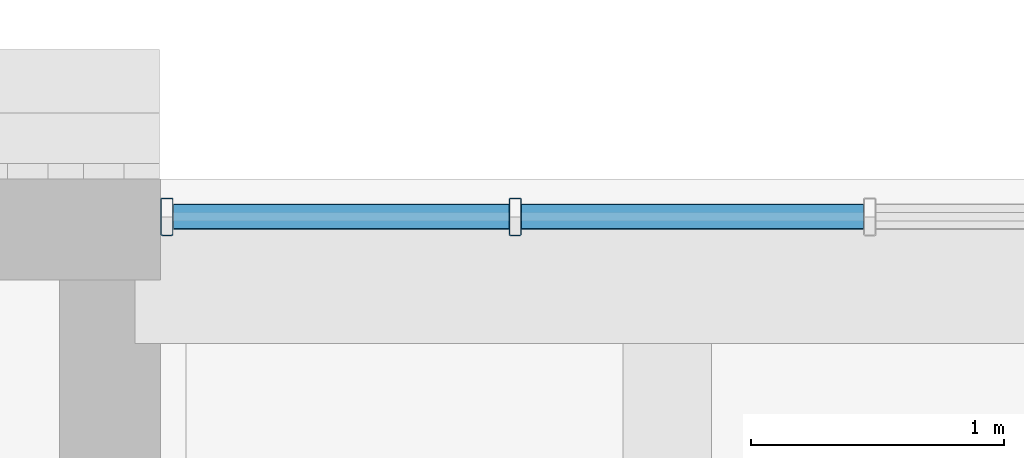
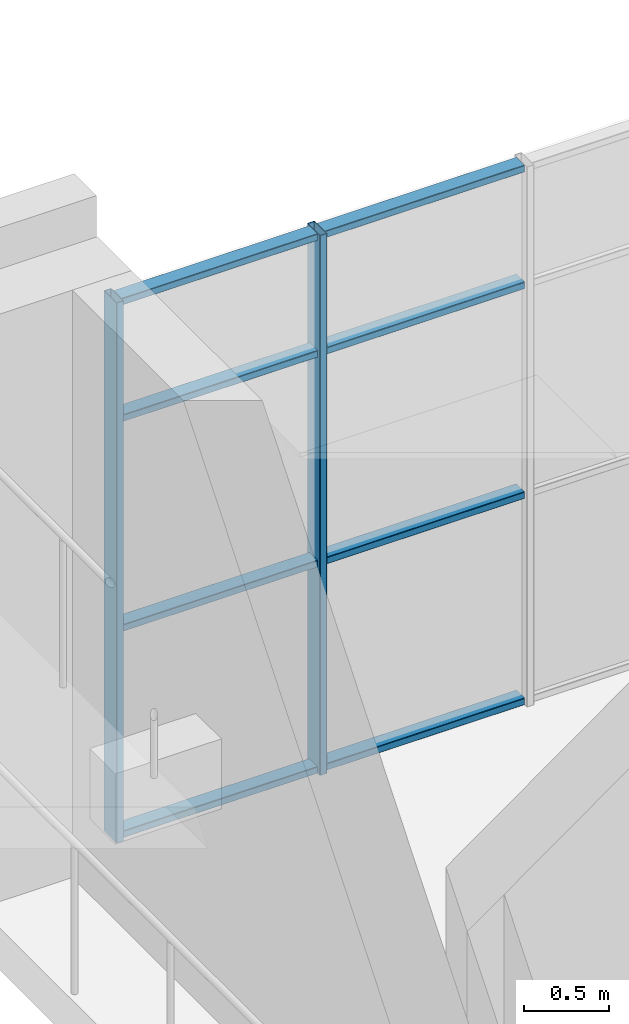
# One storey, part 3 of 92: 10 members, 1 element without a shape of its own.
"""IFC4 building model written with IfcOpenShell, lengths in metres."""

from ifc_helpers import new_model, si_unit, direction, frame, origin, origin_2d, place, context, subcontext, project, spatial, hollow_rectangle, extrude, material, material_profile, profile_set, type_object, element, aggregate, save


model = new_model("IFC4")

# Units and contexts
model_context = context("Model", 3, precision=1e-05, world=origin(), true_north=direction((0.0, 1.0)))
body_context = subcontext(model_context, "Body", "Model", "MODEL_VIEW")
ifc_project = project(units=[si_unit("LENGTHUNIT", "METRE"), si_unit("AREAUNIT", "SQUARE_METRE"), si_unit("VOLUMEUNIT", "CUBIC_METRE"), si_unit("PLANEANGLEUNIT", "RADIAN"), si_unit("MASSUNIT", "GRAM", prefix="KILO")], contexts=[model_context])

# Site, building, storey
site_placement = place(None, origin())
site = spatial("IfcSite", under=ifc_project, at=site_placement, CompositionType="ELEMENT")
building_placement = place(site_placement, origin())
building = spatial("IfcBuilding", under=site, at=building_placement, Name="Sun Court Science Centre", CompositionType="ELEMENT")
storey_placement = place(building_placement, frame((0.0, 0.0, 11.25)))
storey = spatial("IfcBuildingStorey", under=building, at=storey_placement, Name="L02", CompositionType="ELEMENT", Elevation=11.25)

# Curtain wall, members
ifc_material_1 = material(Name="Aluminium EN AW-6063 T6", Category="aluminium")
curtain_wall_type = type_object("IfcCurtainWallType", Name="Court gallery curtain wall 1500", PredefinedType="NOTDEFINED", material=ifc_material_1)
curtain_wall_placement = place(storey_placement, origin())
curtain_wall = element("IfcCurtainWall", 1, at=curtain_wall_placement, inside=storey, type_object=curtain_wall_type, Name="Curtain wall V2 N L02 01", PredefinedType="NOTDEFINED")
ifc_material_2 = material(Name="Aluminium EN AW-6063 T6", Category="aluminium")
ifc_material_profile_1 = material_profile(ifc_material_2, hollow_rectangle(XDim=0.050048828125, YDim=0.14990234375, WallThickness=0.00390625, InnerFilletRadius=0.00390625, OuterFilletRadius=0.006103515625, at=origin_2d()), Name="AL 50x150x4")
ifc_profile_set_1 = profile_set([ifc_material_profile_1], Name="Aluminium EN AW-6063 T6")
member_type_1 = type_object("IfcMemberType", Name="Curtain wall mullion AL 50x150", PredefinedType="MULLION", material=ifc_profile_set_1)
member_1_placement = place(storey_placement, frame((30.02490234375, 27.85009765625, 0.0), z_axis=(0.0, 0.0, 1.0), x_axis=(1.0, 0.0, 0.0)))
member_1 = element("IfcMember", 2, at=member_1_placement, type_object=member_type_1, Name="CW5-05 mullion 1", PredefinedType="MULLION", context=body_context, shape_type="SweptSolid", body=[
    extrude(hollow_rectangle(XDim=0.050048828125, YDim=0.14990234375, WallThickness=0.00390625, InnerFilletRadius=0.00390625, OuterFilletRadius=0.006103515625, at=origin_2d()), origin(), (0.0, 0.0, 1.0), 3.860107421875),
])
member_2_placement = place(storey_placement, frame((31.39990234375, 27.85009765625, 0.0), z_axis=(0.0, 0.0, 1.0), x_axis=(1.0, 0.0, 0.0)))
member_2 = element("IfcMember", 3, at=member_2_placement, type_object=member_type_1, Name="CW5-05 mullion 2", PredefinedType="MULLION", context=body_context, shape_type="SweptSolid", body=[
    extrude(hollow_rectangle(XDim=0.050048828125, YDim=0.14990234375, WallThickness=0.00390625, InnerFilletRadius=0.00390625, OuterFilletRadius=0.006103515625, at=origin_2d()), origin(), (0.0, 0.0, 1.0), 3.860107421875),
])
ifc_material_3 = material(Name="Aluminium EN AW-6063 T6", Category="aluminium")
ifc_material_profile_2 = material_profile(ifc_material_3, hollow_rectangle(XDim=0.050048828125, YDim=0.10009765625, WallThickness=0.00390625, InnerFilletRadius=0.00390625, OuterFilletRadius=0.006103515625, at=origin_2d()), Name="AL 50x100x4")
ifc_profile_set_2 = profile_set([ifc_material_profile_2], Name="Aluminium EN AW-6063 T6")
member_type_2 = type_object("IfcMemberType", Name="Curtain wall transom AL 50x100", PredefinedType="USERDEFINED", material=ifc_profile_set_2)
member_3_placement = place(storey_placement, frame((30.050048828125, 27.85009765625, 0.02490234375), z_axis=(1.0, 0.0, 0.0), x_axis=(0.0, 0.0, 1.0)))
member_3 = element("IfcMember", 4, at=member_3_placement, type_object=member_type_2, Name="CW5-05 transom 1.1", ObjectType="TRANSOM", PredefinedType="USERDEFINED", context=body_context, shape_type="SweptSolid", body=[
    extrude(hollow_rectangle(XDim=0.050048828125, YDim=0.10009765625, WallThickness=0.00390625, InnerFilletRadius=0.00390625, OuterFilletRadius=0.006103515625, at=origin_2d()), origin(), (0.0, 0.0, 1.0), 1.324951171875),
])
member_4_placement = place(storey_placement, frame((31.425048828125, 27.85009765625, 0.02490234375), z_axis=(1.0, 0.0, 0.0), x_axis=(0.0, 0.0, 1.0)))
member_4 = element("IfcMember", 5, at=member_4_placement, type_object=member_type_2, Name="CW5-05 transom 2.1", ObjectType="TRANSOM", PredefinedType="USERDEFINED", context=body_context, shape_type="SweptSolid", body=[
    extrude(hollow_rectangle(XDim=0.050048828125, YDim=0.10009765625, WallThickness=0.00390625, InnerFilletRadius=0.00390625, OuterFilletRadius=0.006103515625, at=origin_2d()), origin(), (0.0, 0.0, 1.0), 1.349853515625),
])
member_5_placement = place(storey_placement, frame((30.050048828125, 27.85009765625, 1.5), z_axis=(1.0, 0.0, 0.0), x_axis=(0.0, 0.0, 1.0)))
member_5 = element("IfcMember", 6, at=member_5_placement, type_object=member_type_2, Name="CW5-05 transom 1.2", ObjectType="TRANSOM", PredefinedType="USERDEFINED", context=body_context, shape_type="SweptSolid", body=[
    extrude(hollow_rectangle(XDim=0.050048828125, YDim=0.10009765625, WallThickness=0.00390625, InnerFilletRadius=0.00390625, OuterFilletRadius=0.006103515625, at=origin_2d()), origin(), (0.0, 0.0, 1.0), 1.324951171875),
])
member_6_placement = place(storey_placement, frame((31.425048828125, 27.85009765625, 1.5), z_axis=(1.0, 0.0, 0.0), x_axis=(0.0, 0.0, 1.0)))
member_6 = element("IfcMember", 7, at=member_6_placement, type_object=member_type_2, Name="CW5-05 transom 2.2", ObjectType="TRANSOM", PredefinedType="USERDEFINED", context=body_context, shape_type="SweptSolid", body=[
    extrude(hollow_rectangle(XDim=0.050048828125, YDim=0.10009765625, WallThickness=0.00390625, InnerFilletRadius=0.00390625, OuterFilletRadius=0.006103515625, at=origin_2d()), origin(), (0.0, 0.0, 1.0), 1.349853515625),
])
member_7_placement = place(storey_placement, frame((30.050048828125, 27.85009765625, 3.0), z_axis=(1.0, 0.0, 0.0), x_axis=(0.0, 0.0, 1.0)))
member_7 = element("IfcMember", 8, at=member_7_placement, type_object=member_type_2, Name="CW5-05 transom 1.3", ObjectType="TRANSOM", PredefinedType="USERDEFINED", context=body_context, shape_type="SweptSolid", body=[
    extrude(hollow_rectangle(XDim=0.050048828125, YDim=0.10009765625, WallThickness=0.00390625, InnerFilletRadius=0.00390625, OuterFilletRadius=0.006103515625, at=origin_2d()), origin(), (0.0, 0.0, 1.0), 1.324951171875),
])
member_8_placement = place(storey_placement, frame((31.425048828125, 27.85009765625, 3.0), z_axis=(1.0, 0.0, 0.0), x_axis=(0.0, 0.0, 1.0)))
member_8 = element("IfcMember", 9, at=member_8_placement, type_object=member_type_2, Name="CW5-05 transom 2.3", ObjectType="TRANSOM", PredefinedType="USERDEFINED", context=body_context, shape_type="SweptSolid", body=[
    extrude(hollow_rectangle(XDim=0.050048828125, YDim=0.10009765625, WallThickness=0.00390625, InnerFilletRadius=0.00390625, OuterFilletRadius=0.006103515625, at=origin_2d()), origin(), (0.0, 0.0, 1.0), 1.349853515625),
])
member_9_placement = place(storey_placement, frame((30.050048828125, 27.85009765625, 3.8349609375), z_axis=(1.0, 0.0, 0.0), x_axis=(0.0, 0.0, 1.0)))
member_9 = element("IfcMember", 10, at=member_9_placement, type_object=member_type_2, Name="CW5-05 transom 1.4", ObjectType="TRANSOM", PredefinedType="USERDEFINED", context=body_context, shape_type="SweptSolid", body=[
    extrude(hollow_rectangle(XDim=0.050048828125, YDim=0.10009765625, WallThickness=0.00390625, InnerFilletRadius=0.00390625, OuterFilletRadius=0.006103515625, at=origin_2d()), origin(), (0.0, 0.0, 1.0), 1.324951171875),
])
member_10_placement = place(storey_placement, frame((31.425048828125, 27.85009765625, 3.8349609375), z_axis=(1.0, 0.0, 0.0), x_axis=(0.0, 0.0, 1.0)))
member_10 = element("IfcMember", 11, at=member_10_placement, type_object=member_type_2, Name="CW5-05 transom 2.4", ObjectType="TRANSOM", PredefinedType="USERDEFINED", context=body_context, shape_type="SweptSolid", body=[
    extrude(hollow_rectangle(XDim=0.050048828125, YDim=0.10009765625, WallThickness=0.00390625, InnerFilletRadius=0.00390625, OuterFilletRadius=0.006103515625, at=origin_2d()), origin(), (0.0, 0.0, 1.0), 1.349853515625),
])
aggregate(curtain_wall, [member_1, member_2, member_3, member_4, member_5, member_6, member_7, member_8, member_9, member_10])

save(model, "model.ifc")
